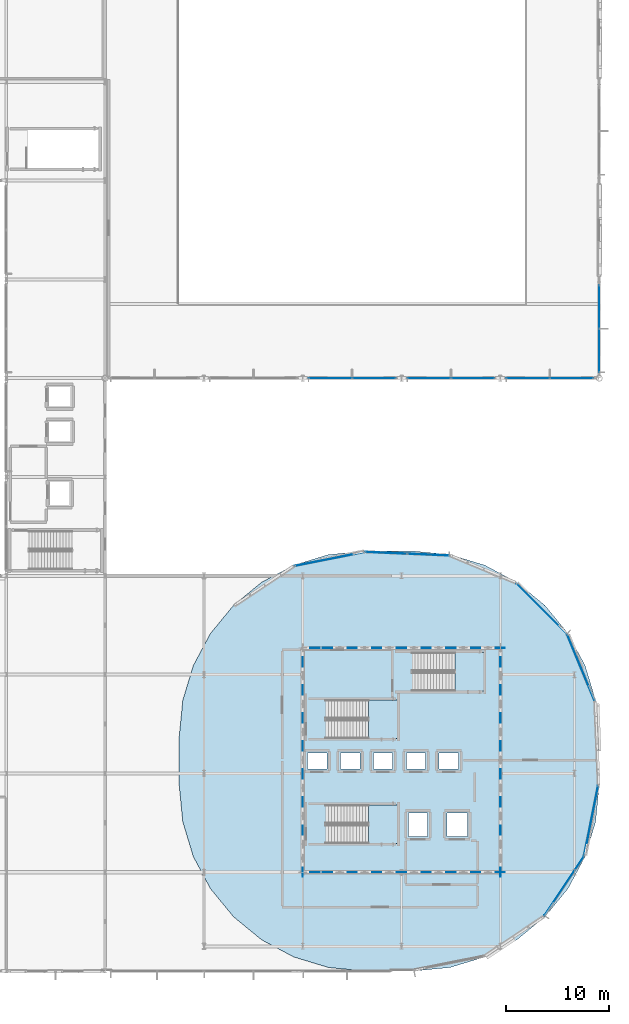
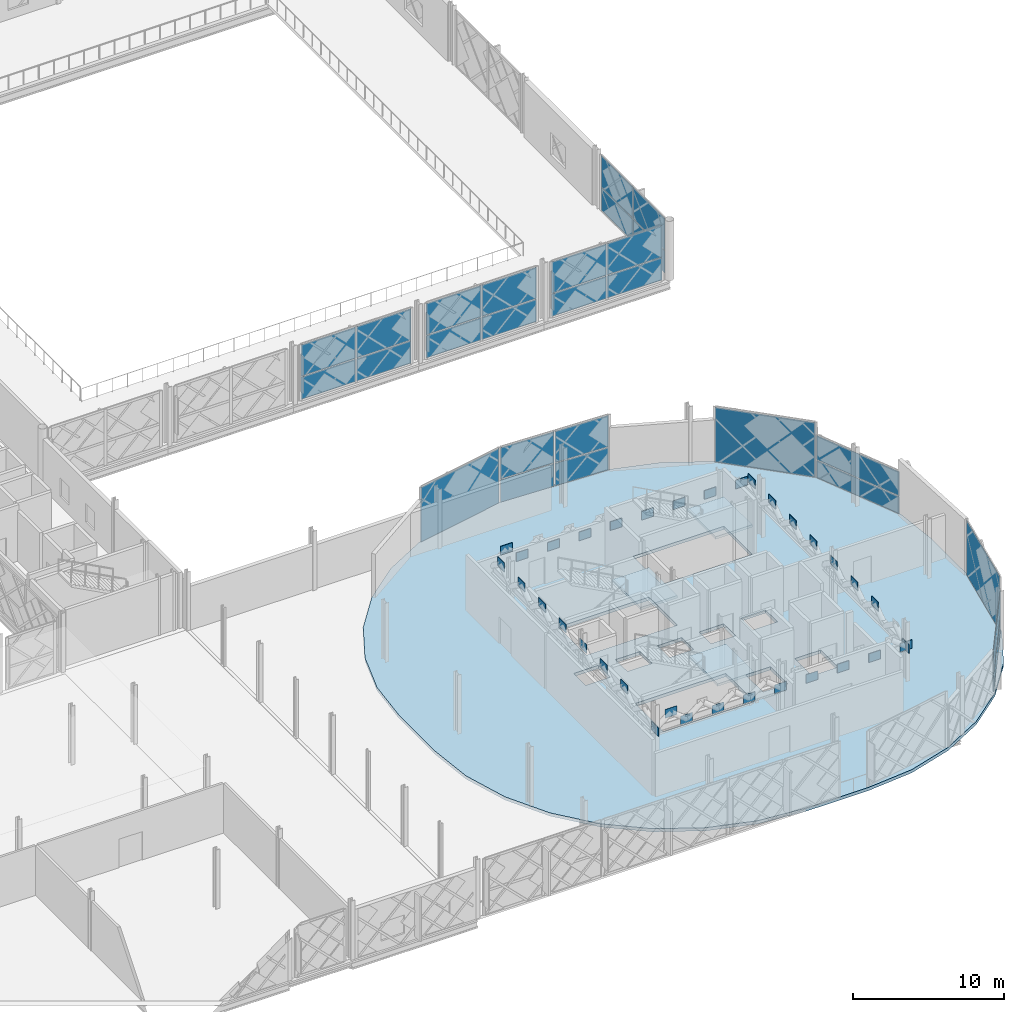
# One storey, part 44 of 77: 61 plates, 4 slabs, 13 elements without a shape of their own.
"""IFC4 building model written with IfcOpenShell, lengths in metres."""

from ifc_helpers import new_model, si_unit, direction, frame, origin, origin_2d, place, context, subcontext, project, spatial, polyline, rectangle, outline, extrude, material, layer, layer_set, type_object, element, aggregate, save


model = new_model("IFC4")

# Units and contexts
model_context = context("Model", 3, precision=1e-05, world=origin(), true_north=direction((0.0, 1.0)))
body_context = subcontext(model_context, "Body", "Model", "MODEL_VIEW")
ifc_project = project(units=[si_unit("LENGTHUNIT", "METRE"), si_unit("AREAUNIT", "SQUARE_METRE"), si_unit("VOLUMEUNIT", "CUBIC_METRE"), si_unit("PLANEANGLEUNIT", "RADIAN"), si_unit("MASSUNIT", "GRAM", prefix="KILO")], contexts=[model_context])

# Site, building, storey
site_placement = place(None, origin())
site = spatial("IfcSite", under=ifc_project, at=site_placement, CompositionType="ELEMENT")
building_placement = place(site_placement, origin())
building = spatial("IfcBuilding", under=site, at=building_placement, Name="Zevrakil Square Congress Hotel", CompositionType="ELEMENT")
storey_placement = place(building_placement, frame((0.0, 0.0, 9.89990234375)))
storey = spatial("IfcBuildingStorey", under=building, at=storey_placement, Name="L03", CompositionType="ELEMENT", Elevation=9.89990234375)

# Curtain wall, plate
ifc_material_1 = material(Name="Aluminium Anodised Bronze", Category="aluminium")
ifc_layer_1 = layer(ifc_material_1, 0.179931640625)
ifc_layer_set_1 = layer_set([ifc_layer_1], Name="Aluminium Anodised Bronze")
curtain_wall_type_1 = type_object("IfcCurtainWallType", Name="CW-L03-840", PredefinedType="USERDEFINED", material=ifc_layer_set_1)
curtain_wall_1_placement = place(storey_placement, origin())
curtain_wall_1 = element("IfcCurtainWall", 1, at=curtain_wall_1_placement, inside=storey, type_object=curtain_wall_type_1, Name="L03 diamond curtain wall CW-L03-0050", ObjectType="GLAZED CURTAIN WALL", PredefinedType="USERDEFINED")
ifc_material_2 = material(Name="Low-E Solar Control Double Glazing", Category="glass")
ifc_layer_2 = layer(ifc_material_2, 0.028076171875)
ifc_layer_set_2 = layer_set([ifc_layer_2], Name="Low-E Solar Control Double Glazing")
plate_type_1 = type_object("IfcPlateType", Name="CWP-GLAZ-28", PredefinedType="CURTAIN_PANEL", material=ifc_layer_set_2)
plate_1_placement = place(storey_placement, frame((165.60009765625, 67.47509765625, 1.93701171875), z_axis=(0.0, 0.0, 1.0), x_axis=(0.0, 1.0, 0.0)))
plate_1 = element("IfcPlate", 2, at=plate_1_placement, type_object=plate_type_1, Name="CW-35 panel 1.2", PredefinedType="CURTAIN_PANEL", context=body_context, shape_type="SweptSolid", body=[
    extrude(rectangle(XDim=4.18994140625, YDim=0.028076171875, at=origin_2d()), origin(), (0.0, 0.0, 1.0), 2.543212890625),
])

curtain_wall_2_placement = place(storey_placement, origin())
curtain_wall_2 = element("IfcCurtainWall", 3, at=curtain_wall_2_placement, inside=storey, type_object=curtain_wall_type_1, Name="L03 diamond curtain wall CW-L03-0062", ObjectType="GLAZED CURTAIN WALL", PredefinedType="USERDEFINED")
plate_2_placement = place(storey_placement, frame((143.72509765625, 64.800048828125, 0.06005859375), z_axis=(0.0, 0.0, 1.0), x_axis=(1.0, 0.0, 0.0)))
plate_2 = element("IfcPlate", 4, at=plate_2_placement, type_object=plate_type_1, Name="CW-35 panel 2.1", PredefinedType="CURTAIN_PANEL", context=body_context, shape_type="SweptSolid", body=[
    extrude(rectangle(XDim=4.18994140625, YDim=0.028076171875, at=origin_2d()), origin(), (0.0, 0.0, 1.0), 1.81689453125),
])

# Curtain wall, plates
curtain_wall_3_placement = place(storey_placement, origin())
curtain_wall_3 = element("IfcCurtainWall", 5, at=curtain_wall_3_placement, inside=storey, type_object=curtain_wall_type_1, Name="L03 diamond curtain wall CW-L03-0064", ObjectType="GLAZED CURTAIN WALL", PredefinedType="USERDEFINED")
plate_3_placement = place(storey_placement, frame((149.074951171875, 64.800048828125, 0.06005859375), z_axis=(0.0, 0.0, 1.0), x_axis=(1.0, 0.0, 0.0)))
plate_3 = element("IfcPlate", 6, at=plate_3_placement, type_object=plate_type_1, Name="CW-35 panel 1.1", PredefinedType="CURTAIN_PANEL", context=body_context, shape_type="SweptSolid", body=[
    extrude(rectangle(XDim=4.18994140625, YDim=0.028076171875, at=origin_2d()), origin(), (0.0, 0.0, 1.0), 1.81689453125),
])
plate_4_placement = place(storey_placement, frame((153.324951171875, 64.800048828125, 0.06005859375), z_axis=(0.0, 0.0, 1.0), x_axis=(1.0, 0.0, 0.0)))
plate_4 = element("IfcPlate", 7, at=plate_4_placement, type_object=plate_type_1, Name="CW-35 panel 2.1", PredefinedType="CURTAIN_PANEL", context=body_context, shape_type="SweptSolid", body=[
    extrude(rectangle(XDim=4.18994140625, YDim=0.028076171875, at=origin_2d()), origin(), (0.0, 0.0, 1.0), 1.81689453125),
])

curtain_wall_4_placement = place(storey_placement, origin())
curtain_wall_4 = element("IfcCurtainWall", 8, at=curtain_wall_4_placement, inside=storey, type_object=curtain_wall_type_1, Name="L03 diamond curtain wall CW-L03-0066", ObjectType="GLAZED CURTAIN WALL", PredefinedType="USERDEFINED")
plate_5_placement = place(storey_placement, frame((158.675048828125, 64.800048828125, 0.06005859375), z_axis=(0.0, 0.0, 1.0), x_axis=(1.0, 0.0, 0.0)))
plate_5 = element("IfcPlate", 9, at=plate_5_placement, type_object=plate_type_1, Name="CW-35 panel 1.1", PredefinedType="CURTAIN_PANEL", context=body_context, shape_type="SweptSolid", body=[
    extrude(rectangle(XDim=4.18994140625, YDim=0.028076171875, at=origin_2d()), origin(), (0.0, 0.0, 1.0), 1.81689453125),
])
plate_6_placement = place(storey_placement, frame((162.925048828125, 64.800048828125, 1.93701171875), z_axis=(0.0, 0.0, 1.0), x_axis=(1.0, 0.0, 0.0)))
plate_6 = element("IfcPlate", 10, at=plate_6_placement, type_object=plate_type_1, Name="CW-35 panel 2.2", PredefinedType="CURTAIN_PANEL", context=body_context, shape_type="SweptSolid", body=[
    extrude(rectangle(XDim=4.18994140625, YDim=0.028076171875, at=origin_2d()), origin(), (0.0, 0.0, 1.0), 2.543212890625),
])

# Curtain wall, plate
ifc_material_3 = material(Name="Aluminium Anodised Bronze", Category="aluminium")
ifc_layer_3 = layer(ifc_material_3, 0.179931640625)
ifc_layer_set_3 = layer_set([ifc_layer_3], Name="Aluminium Anodised Bronze")
curtain_wall_type_2 = type_object("IfcCurtainWallType", Name="CW-L03-720", PredefinedType="USERDEFINED", material=ifc_layer_set_3)
curtain_wall_5_placement = place(storey_placement, origin())
curtain_wall_5 = element("IfcCurtainWall", 11, at=curtain_wall_5_placement, inside=storey, type_object=curtain_wall_type_2, Name="L03 diamond curtain wall CW-L03-0164", ObjectType="GLAZED CURTAIN WALL", PredefinedType="USERDEFINED")
plate_7_placement = place(storey_placement, frame((163.824462890625, 36.694091796875, 0.06005859375), z_axis=(0.0, 0.0, 1.0), x_axis=(-0.382683763454, 0.92387939537, 0.0)))
plate_7 = element("IfcPlate", 12, at=plate_7_placement, type_object=plate_type_1, Name="CW-34 panel 1.1", PredefinedType="CURTAIN_PANEL", context=body_context, shape_type="SweptSolid", body=[
    extrude(rectangle(XDim=6.8857421875, YDim=0.028076171875, at=origin_2d()), origin(), (0.0, 0.0, 1.0), 1.394775390625),
])

# Curtain wall, plates
curtain_wall_6_placement = place(storey_placement, origin())
curtain_wall_6 = element("IfcCurtainWall", 13, at=curtain_wall_6_placement, inside=storey, type_object=curtain_wall_type_1, Name="L03 diamond curtain wall CW-L03-0166", ObjectType="GLAZED CURTAIN WALL", PredefinedType="USERDEFINED")
plate_8_placement = place(storey_placement, frame((148.989501953125, 47.65185546875, 0.06005859375), z_axis=(0.0, 0.0, 1.0), x_axis=(-0.999118846876, 0.041970582763, 0.0)))
plate_8 = element("IfcPlate", 14, at=plate_8_placement, type_object=plate_type_1, Name="CW-35 panel 1.1", PredefinedType="CURTAIN_PANEL", context=body_context, shape_type="SweptSolid", body=[
    extrude(rectangle(XDim=4.02001953125, YDim=0.028076171875, at=origin_2d()), origin(), (0.0, 0.0, 1.0), 1.81689453125),
])
plate_9_placement = place(storey_placement, frame((144.9130859375, 47.8232421875, 1.93701171875), z_axis=(0.0, 0.0, 1.0), x_axis=(-0.999118846876, 0.041970582763, 0.0)))
plate_9 = element("IfcPlate", 15, at=plate_9_placement, type_object=plate_type_1, Name="CW-35 panel 2.2", PredefinedType="CURTAIN_PANEL", context=body_context, shape_type="SweptSolid", body=[
    extrude(rectangle(XDim=4.02001953125, YDim=0.028076171875, at=origin_2d()), origin(), (0.0, 0.0, 1.0), 2.543212890625),
])

# Plate
ifc_material_4 = material(Name="Basalt Grey Ribbed GRC Panel", Category="masonry")
ifc_layer_4 = layer(ifc_material_4, 0.0439453125)
ifc_layer_set_4 = layer_set([ifc_layer_4], Name="Basalt Grey Ribbed GRC Panel")
plate_type_2 = type_object("IfcPlateType", Name="CWP-GRCG-44", PredefinedType="CURTAIN_PANEL", material=ifc_layer_set_4)
plate_10_placement = place(storey_placement, frame((165.60009765625, 71.72509765625, 1.93701171875), z_axis=(0.0, 0.0, 1.0), x_axis=(0.0, 1.0, 0.0)))
plate_10 = element("IfcPlate", 16, at=plate_10_placement, type_object=plate_type_2, Name="CW-35 panel 2.2", PredefinedType="CURTAIN_PANEL", context=body_context, shape_type="SweptSolid", body=[
    extrude(rectangle(XDim=4.18994140625, YDim=0.028076171875, at=origin_2d()), origin(), (0.0, 0.0, 1.0), 2.543212890625),
])

plate_11_placement = place(storey_placement, frame((139.47509765625, 64.800048828125, 1.93701171875), z_axis=(0.0, 0.0, 1.0), x_axis=(1.0, 0.0, 0.0)))
plate_11 = element("IfcPlate", 17, at=plate_11_placement, type_object=plate_type_2, Name="CW-35 panel 1.2", PredefinedType="CURTAIN_PANEL", context=body_context, shape_type="SweptSolid", body=[
    extrude(rectangle(XDim=4.18994140625, YDim=0.028076171875, at=origin_2d()), origin(), (0.0, 0.0, 1.0), 2.543212890625),
])

plate_12_placement = place(storey_placement, frame((162.925048828125, 64.800048828125, 0.06005859375), z_axis=(0.0, 0.0, 1.0), x_axis=(1.0, 0.0, 0.0)))
plate_12 = element("IfcPlate", 18, at=plate_12_placement, type_object=plate_type_2, Name="CW-35 panel 2.1", PredefinedType="CURTAIN_PANEL", context=body_context, shape_type="SweptSolid", body=[
    extrude(rectangle(XDim=4.18994140625, YDim=0.028076171875, at=origin_2d()), origin(), (0.0, 0.0, 1.0), 1.81689453125),
])

# Curtain wall, plate
curtain_wall_7_placement = place(storey_placement, origin())
curtain_wall_7 = element("IfcCurtainWall", 19, at=curtain_wall_7_placement, inside=storey, type_object=curtain_wall_type_2, Name="L03 diamond curtain wall CW-L03-0162", ObjectType="GLAZED CURTAIN WALL", PredefinedType="USERDEFINED")
plate_13_placement = place(storey_placement, frame((162.197265625, 15.46142578125, 1.5146484375), z_axis=(0.0, 0.0, 1.0), x_axis=(0.555576098128, 0.831465693332, 0.0)))
plate_13 = element("IfcPlate", 20, at=plate_13_placement, type_object=plate_type_2, Name="CW-34 panel 1.2", PredefinedType="CURTAIN_PANEL", context=body_context, shape_type="SweptSolid", body=[
    extrude(rectangle(XDim=6.8857421875, YDim=0.028076171875, at=origin_2d()), origin(), (0.0, 0.0, 1.0), 1.960205078125),
])

curtain_wall_8_placement = place(storey_placement, origin())
curtain_wall_8 = element("IfcCurtainWall", 21, at=curtain_wall_8_placement, inside=storey, type_object=curtain_wall_type_2, Name="L03 diamond curtain wall CW-L03-0163", ObjectType="GLAZED CURTAIN WALL", PredefinedType="USERDEFINED")
plate_14_placement = place(storey_placement, frame((164.82666015625, 21.8095703125, 0.06005859375), z_axis=(0.0, 0.0, 1.0), x_axis=(0.195083900459, 0.980786557708, 0.0)))
plate_14 = element("IfcPlate", 22, at=plate_14_placement, type_object=plate_type_2, Name="CW-34 panel 1.1", PredefinedType="CURTAIN_PANEL", context=body_context, shape_type="SweptSolid", body=[
    extrude(rectangle(XDim=6.8857421875, YDim=0.028076171875, at=origin_2d()), origin(), (0.0, 0.0, 1.0), 4.419921875),
])
aggregate(curtain_wall_8, [plate_14])

# Plate
plate_15_placement = place(storey_placement, frame((144.9130859375, 47.8232421875, 0.06005859375), z_axis=(0.0, 0.0, 1.0), x_axis=(-0.999118846876, 0.041970582763, 0.0)))
plate_15 = element("IfcPlate", 23, at=plate_15_placement, type_object=plate_type_2, Name="CW-35 panel 2.1", PredefinedType="CURTAIN_PANEL", context=body_context, shape_type="SweptSolid", body=[
    extrude(rectangle(XDim=4.02001953125, YDim=0.028076171875, at=origin_2d()), origin(), (0.0, 0.0, 1.0), 1.81689453125),
])

ifc_material_5 = material(Name="White Ribbed Highland GRC Panel", Category="concrete")
ifc_layer_5 = layer(ifc_material_5, 0.0400390625)
ifc_layer_set_5 = layer_set([ifc_layer_5], Name="White Ribbed Highland GRC Panel")
plate_type_3 = type_object("IfcPlateType", Name="CWP-GRCW-40", PredefinedType="CURTAIN_PANEL", material=ifc_layer_set_5)
plate_16_placement = place(storey_placement, frame((165.60009765625, 67.47509765625, 0.06005859375), z_axis=(0.0, 0.0, 1.0), x_axis=(0.0, 1.0, 0.0)))
plate_16 = element("IfcPlate", 24, at=plate_16_placement, type_object=plate_type_3, Name="CW-35 panel 1.1", PredefinedType="CURTAIN_PANEL", context=body_context, shape_type="SweptSolid", body=[
    extrude(rectangle(XDim=4.18994140625, YDim=0.028076171875, at=origin_2d()), origin(), (0.0, 0.0, 1.0), 1.81689453125),
])

plate_17_placement = place(storey_placement, frame((165.60009765625, 71.72509765625, 0.06005859375), z_axis=(0.0, 0.0, 1.0), x_axis=(0.0, 1.0, 0.0)))
plate_17 = element("IfcPlate", 25, at=plate_17_placement, type_object=plate_type_3, Name="CW-35 panel 2.1", PredefinedType="CURTAIN_PANEL", context=body_context, shape_type="SweptSolid", body=[
    extrude(rectangle(XDim=4.18994140625, YDim=0.028076171875, at=origin_2d()), origin(), (0.0, 0.0, 1.0), 1.81689453125),
])

aggregate(curtain_wall_1, [plate_16, plate_1, plate_17, plate_10])

plate_18_placement = place(storey_placement, frame((139.47509765625, 64.800048828125, 0.06005859375), z_axis=(0.0, 0.0, 1.0), x_axis=(1.0, 0.0, 0.0)))
plate_18 = element("IfcPlate", 26, at=plate_18_placement, type_object=plate_type_3, Name="CW-35 panel 1.1", PredefinedType="CURTAIN_PANEL", context=body_context, shape_type="SweptSolid", body=[
    extrude(rectangle(XDim=4.18994140625, YDim=0.028076171875, at=origin_2d()), origin(), (0.0, 0.0, 1.0), 1.81689453125),
])

plate_19_placement = place(storey_placement, frame((143.72509765625, 64.800048828125, 1.93701171875), z_axis=(0.0, 0.0, 1.0), x_axis=(1.0, 0.0, 0.0)))
plate_19 = element("IfcPlate", 27, at=plate_19_placement, type_object=plate_type_3, Name="CW-35 panel 2.2", PredefinedType="CURTAIN_PANEL", context=body_context, shape_type="SweptSolid", body=[
    extrude(rectangle(XDim=4.18994140625, YDim=0.028076171875, at=origin_2d()), origin(), (0.0, 0.0, 1.0), 2.543212890625),
])

aggregate(curtain_wall_2, [plate_18, plate_11, plate_2, plate_19])

plate_20_placement = place(storey_placement, frame((149.074951171875, 64.800048828125, 1.93701171875), z_axis=(0.0, 0.0, 1.0), x_axis=(1.0, 0.0, 0.0)))
plate_20 = element("IfcPlate", 28, at=plate_20_placement, type_object=plate_type_3, Name="CW-35 panel 1.2", PredefinedType="CURTAIN_PANEL", context=body_context, shape_type="SweptSolid", body=[
    extrude(rectangle(XDim=4.18994140625, YDim=0.028076171875, at=origin_2d()), origin(), (0.0, 0.0, 1.0), 2.543212890625),
])

plate_21_placement = place(storey_placement, frame((153.324951171875, 64.800048828125, 1.93701171875), z_axis=(0.0, 0.0, 1.0), x_axis=(1.0, 0.0, 0.0)))
plate_21 = element("IfcPlate", 29, at=plate_21_placement, type_object=plate_type_3, Name="CW-35 panel 2.2", PredefinedType="CURTAIN_PANEL", context=body_context, shape_type="SweptSolid", body=[
    extrude(rectangle(XDim=4.18994140625, YDim=0.028076171875, at=origin_2d()), origin(), (0.0, 0.0, 1.0), 2.543212890625),
])

aggregate(curtain_wall_3, [plate_3, plate_20, plate_4, plate_21])

plate_22_placement = place(storey_placement, frame((158.675048828125, 64.800048828125, 1.93701171875), z_axis=(0.0, 0.0, 1.0), x_axis=(1.0, 0.0, 0.0)))
plate_22 = element("IfcPlate", 30, at=plate_22_placement, type_object=plate_type_3, Name="CW-35 panel 1.2", PredefinedType="CURTAIN_PANEL", context=body_context, shape_type="SweptSolid", body=[
    extrude(rectangle(XDim=4.18994140625, YDim=0.028076171875, at=origin_2d()), origin(), (0.0, 0.0, 1.0), 2.543212890625),
])

aggregate(curtain_wall_4, [plate_5, plate_22, plate_12, plate_6])

plate_23_placement = place(storey_placement, frame((162.197265625, 15.46142578125, 0.06005859375), z_axis=(0.0, 0.0, 1.0), x_axis=(0.555576098128, 0.831465693332, 0.0)))
plate_23 = element("IfcPlate", 31, at=plate_23_placement, type_object=plate_type_3, Name="CW-34 panel 1.1", PredefinedType="CURTAIN_PANEL", context=body_context, shape_type="SweptSolid", body=[
    extrude(rectangle(XDim=6.8857421875, YDim=0.028076171875, at=origin_2d()), origin(), (0.0, 0.0, 1.0), 1.394775390625),
])

aggregate(curtain_wall_7, [plate_23, plate_13])

plate_24_placement = place(storey_placement, frame((163.824462890625, 36.694091796875, 1.5146484375), z_axis=(0.0, 0.0, 1.0), x_axis=(-0.382683763454, 0.92387939537, 0.0)))
plate_24 = element("IfcPlate", 32, at=plate_24_placement, type_object=plate_type_3, Name="CW-34 panel 1.2", PredefinedType="CURTAIN_PANEL", context=body_context, shape_type="SweptSolid", body=[
    extrude(rectangle(XDim=6.8857421875, YDim=0.028076171875, at=origin_2d()), origin(), (0.0, 0.0, 1.0), 1.960205078125),
])

aggregate(curtain_wall_5, [plate_7, plate_24])

# Curtain wall, plate
curtain_wall_9_placement = place(storey_placement, origin())
curtain_wall_9 = element("IfcCurtainWall", 33, at=curtain_wall_9_placement, inside=storey, type_object=curtain_wall_type_2, Name="L03 diamond curtain wall CW-L03-0165", ObjectType="GLAZED CURTAIN WALL", PredefinedType="USERDEFINED")
plate_25_placement = place(storey_placement, frame((160.007080078125, 42.4072265625, 0.06005859375), z_axis=(0.0, 0.0, 1.0), x_axis=(-0.707106781187, 0.707106781187, 0.0)))
plate_25 = element("IfcPlate", 34, at=plate_25_placement, type_object=plate_type_3, Name="CW-34 panel 1.1", PredefinedType="CURTAIN_PANEL", context=body_context, shape_type="SweptSolid", body=[
    extrude(rectangle(XDim=6.885498046875, YDim=0.028076171875, at=origin_2d()), origin(), (0.0, 0.0, 1.0), 4.419921875),
])
aggregate(curtain_wall_9, [plate_25])

# Plate
plate_26_placement = place(storey_placement, frame((148.989501953125, 47.65185546875, 1.93701171875), z_axis=(0.0, 0.0, 1.0), x_axis=(-0.999118846876, 0.041970582763, 0.0)))
plate_26 = element("IfcPlate", 35, at=plate_26_placement, type_object=plate_type_3, Name="CW-35 panel 1.2", PredefinedType="CURTAIN_PANEL", context=body_context, shape_type="SweptSolid", body=[
    extrude(rectangle(XDim=4.02001953125, YDim=0.028076171875, at=origin_2d()), origin(), (0.0, 0.0, 1.0), 2.543212890625),
])

aggregate(curtain_wall_6, [plate_8, plate_26, plate_15, plate_9])

# Curtain wall, plate
curtain_wall_10_placement = place(storey_placement, origin())
curtain_wall_10 = element("IfcCurtainWall", 36, at=curtain_wall_10_placement, inside=storey, type_object=curtain_wall_type_2, Name="L03 diamond curtain wall CW-L03-0167", ObjectType="GLAZED CURTAIN WALL", PredefinedType="USERDEFINED")
plate_27_placement = place(storey_placement, frame((139.409423828125, 47.2265625, 0.06005859375), z_axis=(0.0, 0.0, 1.0), x_axis=(-0.980786557708, -0.195083900459, 0.0)))
plate_27 = element("IfcPlate", 37, at=plate_27_placement, type_object=plate_type_3, Name="CW-34 panel 1.1", PredefinedType="CURTAIN_PANEL", context=body_context, shape_type="SweptSolid", body=[
    extrude(rectangle(XDim=6.8857421875, YDim=0.028076171875, at=origin_2d()), origin(), (0.0, 0.0, 1.0), 4.419921875),
])
aggregate(curtain_wall_10, [plate_27])

# Plates
ifc_material_6 = material(Name="Steel S355", Category="steel")
ifc_layer_6 = layer(ifc_material_6, 0.031982421875)
ifc_layer_set_6 = layer_set([ifc_layer_6], Name="Steel S355")
plate_type_4 = type_object("IfcPlateType", Name="PLT-GUSSET-900", PredefinedType="SHEET", material=ifc_layer_set_6)
for number, where, z_axis, x_axis, name in (
    (38, (138.0, 16.800048828125, 3.30029296875), (0.0, 0.0, 1.0), (1.0, 0.0, 0.0), "L03 transfer truss cast-in wall embedment and gusset plate TN-001"),
    (39, (139.199951171875, 16.800048828125, 2.35009765625), (0.0, 0.0, 1.0), (1.0, 0.0, 0.0), "L03 transfer truss cast-in wall embedment and gusset plate TN-003"),
    (40, (141.60009765625, 16.800048828125, 2.35009765625), (0.0, 0.0, 1.0), (1.0, 0.0, 0.0), "L03 transfer truss cast-in wall embedment and gusset plate TN-005"),
    (41, (144.0, 16.800048828125, 2.35009765625), (0.0, 0.0, 1.0), (1.0, 0.0, 0.0), "L03 transfer truss cast-in wall embedment and gusset plate TN-007"),
    (42, (146.39990234375, 16.800048828125, 2.35009765625), (0.0, 0.0, 1.0), (1.0, 0.0, 0.0), "L03 transfer truss cast-in wall embedment and gusset plate TN-009"),
    (43, (148.800048828125, 16.800048828125, 2.35009765625), (0.0, 0.0, 1.0), (1.0, 0.0, 0.0), "L03 transfer truss cast-in wall embedment and gusset plate TN-011"),
    (44, (151.199951171875, 16.800048828125, 2.35009765625), (0.0, 0.0, 1.0), (1.0, 0.0, 0.0), "L03 transfer truss cast-in wall embedment and gusset plate TN-013"),
    (45, (153.60009765625, 16.800048828125, 2.35009765625), (0.0, 0.0, 1.0), (1.0, 0.0, 0.0), "L03 transfer truss cast-in wall embedment and gusset plate TN-015"),
    (46, (156.0, 16.800048828125, 2.35009765625), (0.0, 0.0, 1.0), (1.0, 0.0, 0.0), "L03 transfer truss cast-in wall embedment and gusset plate TN-017"),
    (47, (156.0, 16.800048828125, 2.35009765625), (0.0, 0.0, 1.0), (0.0, 1.0, 0.0), "L03 transfer truss cast-in wall embedment and gusset plate TN-019"),
    (48, (156.0, 20.887451171875, 3.30029296875), (0.0, 0.0, 1.0), (0.0, 1.0, 0.0), "L03 transfer truss cast-in wall embedment and gusset plate TN-021"),
    (49, (156.0, 23.612548828125, 3.30029296875), (0.0, 0.0, 1.0), (0.0, 1.0, 0.0), "L03 transfer truss cast-in wall embedment and gusset plate TN-023"),
    (50, (156.0, 26.33740234375, 3.30029296875), (0.0, 0.0, 1.0), (0.0, 1.0, 0.0), "L03 transfer truss cast-in wall embedment and gusset plate TN-025"),
    (51, (156.0, 29.0625, 3.30029296875), (0.0, 0.0, 1.0), (0.0, 1.0, 0.0), "L03 transfer truss cast-in wall embedment and gusset plate TN-027"),
    (52, (156.0, 31.78759765625, 3.30029296875), (0.0, 0.0, 1.0), (0.0, 1.0, 0.0), "L03 transfer truss cast-in wall embedment and gusset plate TN-029"),
    (53, (156.0, 34.512451171875, 3.30029296875), (0.0, 0.0, 1.0), (0.0, 1.0, 0.0), "L03 transfer truss cast-in wall embedment and gusset plate TN-031"),
    (54, (156.0, 37.237548828125, 3.30029296875), (0.0, 0.0, 1.0), (0.0, 1.0, 0.0), "L03 transfer truss cast-in wall embedment and gusset plate TN-033"),
    (55, (138.0, 38.60009765625, 3.30029296875), (0.0, 0.0, 1.0), (1.0, 0.0, 0.0), "L03 transfer truss cast-in wall embedment and gusset plate TN-035"),
    (56, (139.199951171875, 38.60009765625, 2.35009765625), (0.0, 0.0, 1.0), (1.0, 0.0, 0.0), "L03 transfer truss cast-in wall embedment and gusset plate TN-037"),
    (57, (141.60009765625, 38.60009765625, 2.35009765625), (0.0, 0.0, 1.0), (1.0, 0.0, 0.0), "L03 transfer truss cast-in wall embedment and gusset plate TN-039"),
    (58, (144.0, 38.60009765625, 2.35009765625), (0.0, 0.0, 1.0), (1.0, 0.0, 0.0), "L03 transfer truss cast-in wall embedment and gusset plate TN-041"),
    (59, (146.39990234375, 38.60009765625, 2.35009765625), (0.0, 0.0, 1.0), (1.0, 0.0, 0.0), "L03 transfer truss cast-in wall embedment and gusset plate TN-043"),
    (60, (148.800048828125, 38.60009765625, 2.35009765625), (0.0, 0.0, 1.0), (1.0, 0.0, 0.0), "L03 transfer truss cast-in wall embedment and gusset plate TN-045"),
    (61, (151.199951171875, 38.60009765625, 2.35009765625), (0.0, 0.0, 1.0), (1.0, 0.0, 0.0), "L03 transfer truss cast-in wall embedment and gusset plate TN-047"),
    (62, (153.60009765625, 38.60009765625, 2.35009765625), (0.0, 0.0, 1.0), (1.0, 0.0, 0.0), "L03 transfer truss cast-in wall embedment and gusset plate TN-049"),
    (63, (156.0, 38.60009765625, 2.35009765625), (0.0, 0.0, 1.0), (1.0, 0.0, 0.0), "L03 transfer truss cast-in wall embedment and gusset plate TN-051"),
    (64, (136.800048828125, 16.800048828125, 2.35009765625), (0.0, 0.0, 1.0), (0.0, 1.0, 0.0), "L03 transfer truss cast-in wall embedment and gusset plate TN-053"),
    (65, (136.800048828125, 20.887451171875, 3.30029296875), (0.0, 0.0, 1.0), (0.0, 1.0, 0.0), "L03 transfer truss cast-in wall embedment and gusset plate TN-055"),
    (66, (136.800048828125, 23.612548828125, 3.30029296875), (0.0, 0.0, 1.0), (0.0, 1.0, 0.0), "L03 transfer truss cast-in wall embedment and gusset plate TN-057"),
    (67, (136.800048828125, 26.33740234375, 3.30029296875), (0.0, 0.0, 1.0), (0.0, 1.0, 0.0), "L03 transfer truss cast-in wall embedment and gusset plate TN-059"),
    (68, (136.800048828125, 29.0625, 3.30029296875), (0.0, 0.0, 1.0), (0.0, 1.0, 0.0), "L03 transfer truss cast-in wall embedment and gusset plate TN-061"),
    (69, (136.800048828125, 31.78759765625, 3.30029296875), (0.0, 0.0, 1.0), (0.0, 1.0, 0.0), "L03 transfer truss cast-in wall embedment and gusset plate TN-063"),
    (70, (136.800048828125, 34.512451171875, 3.30029296875), (0.0, 0.0, 1.0), (0.0, 1.0, 0.0), "L03 transfer truss cast-in wall embedment and gusset plate TN-065"),
    (71, (136.800048828125, 37.237548828125, 3.30029296875), (0.0, 0.0, 1.0), (0.0, 1.0, 0.0), "L03 transfer truss cast-in wall embedment and gusset plate TN-067"),
):
    element("IfcPlate", number, at=place(storey_placement, frame(where, z_axis=z_axis, x_axis=x_axis)), inside=storey, type_object=plate_type_4, Name=name, PredefinedType="SHEET", context=body_context, shape_type="SweptSolid", body=[
        extrude(rectangle(XDim=0.89990234375, YDim=0.031982421875, at=origin_2d()), origin(), (0.0, 0.0, 1.0), 0.699951171875),
    ])

# Slab
ifc_material_7 = material(Name="Concrete C35/45", Category="concrete")
ifc_layer_7 = layer(ifc_material_7, 0.2548828125)
ifc_layer_set_7 = layer_set([ifc_layer_7], Name="Concrete C35/45")
slab_type_1 = type_object("IfcSlabType", Name="SLB-L03-200", PredefinedType="FLOOR", material=ifc_layer_set_7)
slab_1_placement = place(storey_placement, frame((0.0, 0.0, -0.2548828125)))
element("IfcSlab", 72, at=slab_1_placement, inside=storey, type_object=slab_type_1, Name="L03 hotel drum transfer floor slab", PredefinedType="FLOOR", context=body_context, shape_type="SweptSolid", body=[
    extrude(outline(polyline([(147.60009765625, 7.199951171875), (151.111572265625, 7.5458984375), (154.48828125, 8.5703125), (157.600341796875, 10.2333984375), (160.327880859375, 12.47216796875), (162.56640625, 15.19970703125), (164.229736328125, 18.311767578125), (165.254150390625, 21.6884765625), (165.60009765625, 25.199951171875), (165.60009765625, 30.0), (165.254150390625, 33.51171875), (164.229736328125, 36.88818359375), (162.56640625, 40.000244140625), (160.327880859375, 42.727783203125), (157.600341796875, 44.966552734375), (154.48828125, 46.6298828125), (151.111572265625, 47.654052734375), (147.60009765625, 48.0), (142.800048828125, 48.0), (139.288330078125, 47.654052734375), (135.91162109375, 46.6298828125), (132.7998046875, 44.966552734375), (130.072021484375, 42.727783203125), (127.83349609375, 40.000244140625), (126.170166015625, 36.88818359375), (125.14599609375, 33.51171875), (124.800048828125, 30.0), (124.800048828125, 25.199951171875), (125.14599609375, 21.6884765625), (126.170166015625, 18.311767578125), (127.83349609375, 15.19970703125), (130.072021484375, 12.47216796875), (132.7998046875, 10.2333984375), (135.91162109375, 8.5703125), (139.288330078125, 7.5458984375), (142.800048828125, 7.199951171875), (147.60009765625, 7.199951171875)]), holes=[polyline([(139.044921875, 19.60009765625), (146.0, 19.60009765625), (146.0, 23.35009765625), (139.044921875, 23.35009765625), (139.044921875, 19.60009765625)]), polyline([(139.044921875, 29.800048828125), (146.0, 29.800048828125), (146.0, 33.550048828125), (139.044921875, 33.550048828125), (139.044921875, 29.800048828125)]), polyline([(147.445068359375, 34.39990234375), (154.39990234375, 34.39990234375), (154.39990234375, 38.14990234375), (147.445068359375, 38.14990234375), (147.445068359375, 34.39990234375)]), polyline([(137.260009765625, 26.81005859375), (139.139892578125, 26.81005859375), (139.139892578125, 28.389892578125), (137.260009765625, 28.389892578125), (137.260009765625, 26.81005859375)]), polyline([(140.4599609375, 26.81005859375), (142.340087890625, 26.81005859375), (142.340087890625, 28.389892578125), (140.4599609375, 28.389892578125), (140.4599609375, 26.81005859375)]), polyline([(143.659912109375, 26.81005859375), (145.5400390625, 26.81005859375), (145.5400390625, 28.389892578125), (143.659912109375, 28.389892578125), (143.659912109375, 26.81005859375)]), polyline([(146.860107421875, 26.81005859375), (148.739990234375, 26.81005859375), (148.739990234375, 28.389892578125), (146.860107421875, 28.389892578125), (146.860107421875, 26.81005859375)]), polyline([(150.06005859375, 26.81005859375), (151.93994140625, 26.81005859375), (151.93994140625, 28.389892578125), (150.06005859375, 28.389892578125), (150.06005859375, 26.81005859375)]), polyline([(147.06005859375, 20.260009765625), (148.93994140625, 20.260009765625), (148.93994140625, 22.5400390625), (147.06005859375, 22.5400390625), (147.06005859375, 20.260009765625)]), polyline([(150.81005859375, 20.260009765625), (152.7900390625, 20.260009765625), (152.7900390625, 22.5400390625), (150.81005859375, 22.5400390625), (150.81005859375, 20.260009765625)])]), origin(), (0.0, 0.0, 1.0), 0.2548828125),
])

# Stair, slab
ifc_material_8 = material(Name="Concrete C35/45", Category="concrete")
stair_type = type_object("IfcStairType", Name="STR-DOGLEG-180", PredefinedType="HALF_TURN_STAIR", material=ifc_material_8)
stair_1_placement = place(storey_placement, origin())
stair_1 = element("IfcStair", 73, at=stair_1_placement, inside=storey, type_object=stair_type, Name="L03 Protected exit stair ST01", PredefinedType="HALF_TURN_STAIR")
ifc_material_9 = material(Name="Concrete C35/45", Category="concrete")
ifc_layer_8 = layer(ifc_material_9, 0.199951171875)
ifc_layer_set_8 = layer_set([ifc_layer_8], Name="Concrete C35/45")
slab_type_2 = type_object("IfcSlabType", Name="SLB-STAIR-LAND-200", PredefinedType="LANDING", material=ifc_layer_set_8)
slab_2_placement = place(storey_placement, frame((0.0, 0.0, 2.2001953125)))
slab_2 = element("IfcSlab", 74, at=slab_2_placement, type_object=slab_type_2, Name="ST01 landing 1", PredefinedType="LANDING", context=body_context, shape_type="SweptSolid", body=[
    extrude(outline(polyline([(143.199951171875, 19.60009765625), (146.0, 19.60009765625), (146.0, 23.35009765625), (143.199951171875, 23.35009765625), (143.199951171875, 19.60009765625)])), origin(), (0.0, 0.0, 1.0), 0.199951171875),
])
aggregate(stair_1, [slab_2])

stair_2_placement = place(storey_placement, origin())
stair_2 = element("IfcStair", 75, at=stair_2_placement, inside=storey, type_object=stair_type, Name="L03 Protected exit stair ST02", PredefinedType="HALF_TURN_STAIR")
slab_3_placement = place(storey_placement, frame((0.0, 0.0, 2.2001953125)))
slab_3 = element("IfcSlab", 76, at=slab_3_placement, type_object=slab_type_2, Name="ST02 landing 1", PredefinedType="LANDING", context=body_context, shape_type="SweptSolid", body=[
    extrude(outline(polyline([(143.199951171875, 29.800048828125), (146.0, 29.800048828125), (146.0, 33.550048828125), (143.199951171875, 33.550048828125), (143.199951171875, 29.800048828125)])), origin(), (0.0, 0.0, 1.0), 0.199951171875),
])
aggregate(stair_2, [slab_3])

stair_3_placement = place(storey_placement, origin())
stair_3 = element("IfcStair", 77, at=stair_3_placement, inside=storey, type_object=stair_type, Name="L03 Protected exit stair ST03", PredefinedType="HALF_TURN_STAIR")
slab_4_placement = place(storey_placement, frame((0.0, 0.0, 2.2001953125)))
slab_4 = element("IfcSlab", 78, at=slab_4_placement, type_object=slab_type_2, Name="ST03 landing 1", PredefinedType="LANDING", context=body_context, shape_type="SweptSolid", body=[
    extrude(outline(polyline([(151.60009765625, 34.39990234375), (154.39990234375, 34.39990234375), (154.39990234375, 38.14990234375), (151.60009765625, 38.14990234375), (151.60009765625, 34.39990234375)])), origin(), (0.0, 0.0, 1.0), 0.199951171875),
])
aggregate(stair_3, [slab_4])

save(model, "model.ifc")
